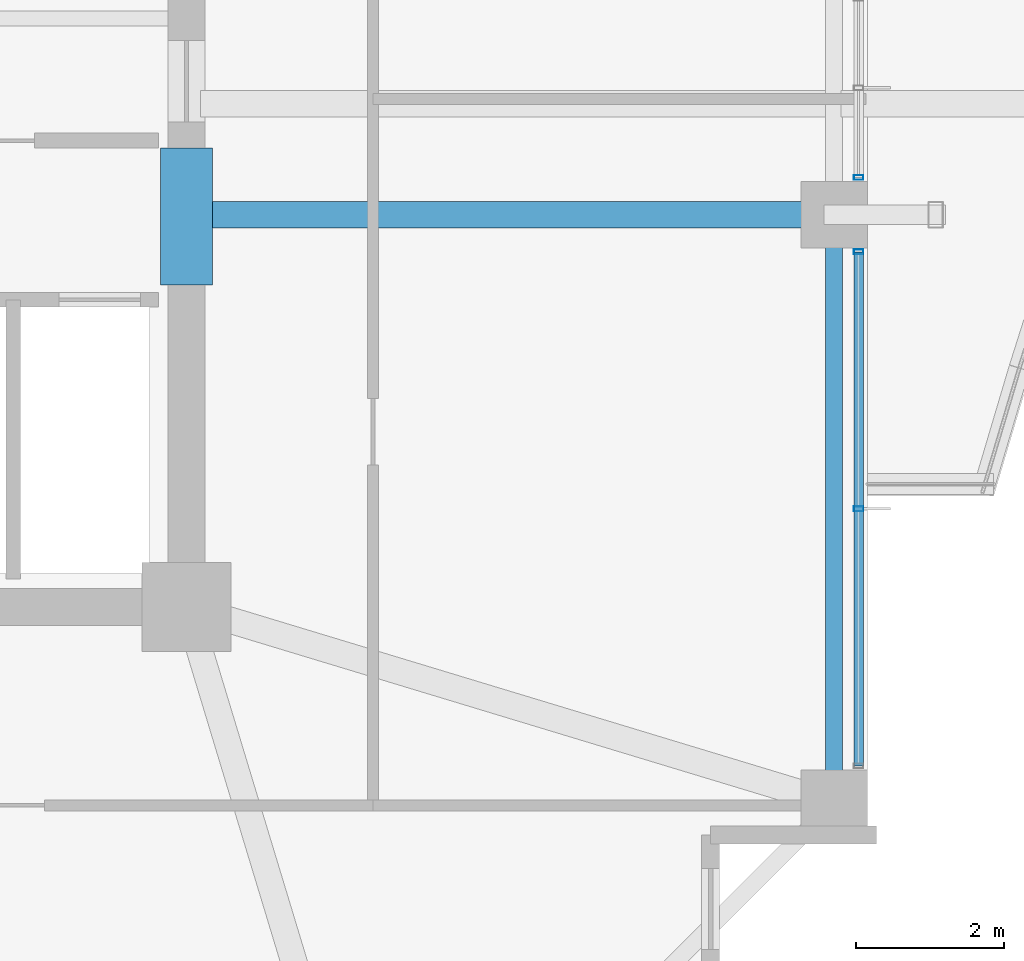
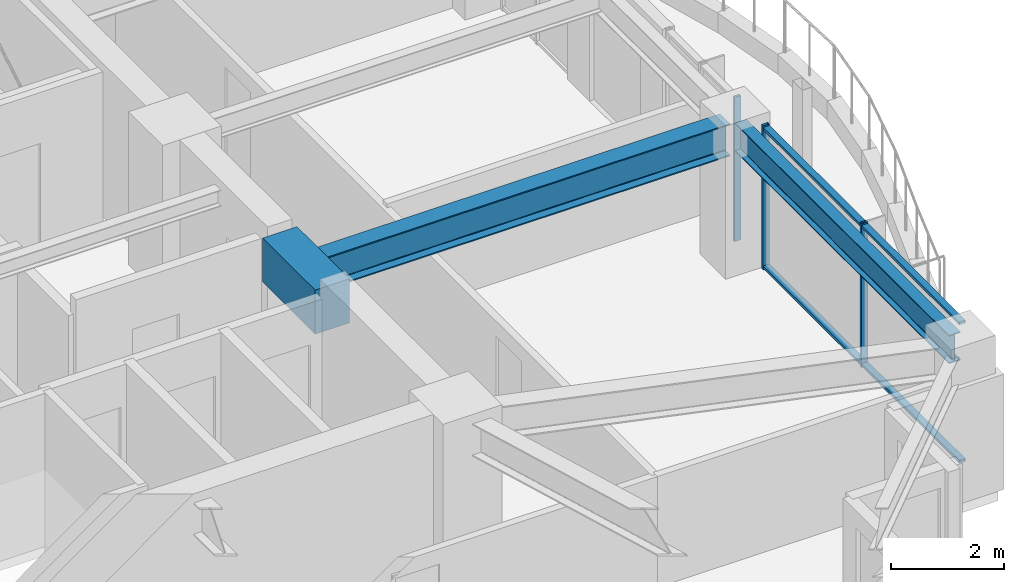
# One storey, part 15 of 35: 5 members, 3 beams, 2 elements without a shape of their own.
"""IFC4 building model written with IfcOpenShell, lengths in metres."""

from ifc_helpers import new_model, si_unit, direction, frame, origin, origin_2d, place, context, subcontext, project, spatial, rectangle, hollow_rectangle, i_section, extrude, material, material_profile, profile_set, type_object, element, aggregate, save


model = new_model("IFC4")

# Units and contexts
model_context = context("Model", 3, precision=1e-05, world=origin(), true_north=direction((0.0, 1.0)))
body_context = subcontext(model_context, "Body", "Model", "MODEL_VIEW")
ifc_project = project(units=[si_unit("LENGTHUNIT", "METRE"), si_unit("AREAUNIT", "SQUARE_METRE"), si_unit("VOLUMEUNIT", "CUBIC_METRE"), si_unit("PLANEANGLEUNIT", "RADIAN"), si_unit("MASSUNIT", "GRAM", prefix="KILO")], contexts=[model_context])

# Site, building, storey
site_placement = place(None, origin())
site = spatial("IfcSite", under=ifc_project, at=site_placement, CompositionType="ELEMENT")
building_placement = place(site_placement, origin())
building = spatial("IfcBuilding", under=site, at=building_placement, Name="Kolvaren Belvedere", CompositionType="ELEMENT")
storey_placement = place(building_placement, frame((0.0, 0.0, 163.5)))
storey = spatial("IfcBuildingStorey", under=building, at=storey_placement, Name="L47", CompositionType="ELEMENT", Elevation=163.5)

# Beams
ifc_material_1 = material(Name="Structural steel ASTM A992 Grade 50", Category="steel")
ifc_material_profile_1 = material_profile(ifc_material_1, i_section(OverallWidth=0.35498046875, OverallDepth=0.696044921875, WebThickness=0.015380859375, FlangeThickness=0.02490234375, FilletRadius=0.02197265625, at=origin_2d()), Name="W27X146")
ifc_profile_set_1 = profile_set([ifc_material_profile_1], Name="Structural steel ASTM A992 Grade 50")
beam_type_1 = type_object("IfcBeamType", Name="BM-GIRD-W27X146", PredefinedType="BEAM", material=ifc_profile_set_1)
beam_1_placement = place(storey_placement, frame((10.14990234375, -4.60009765625, 2.751953125), z_axis=(1.0, 0.0, 0.0), x_axis=(0.0, 1.0, 0.0)))
element("IfcBeam", 1, at=beam_1_placement, inside=storey, type_object=beam_type_1, Name="L47 East Radial Girder M", PredefinedType="BEAM", context=body_context, shape_type="SweptSolid", body=[
    extrude(i_section(OverallWidth=0.35498046875, OverallDepth=0.696044921875, WebThickness=0.015380859375, FlangeThickness=0.02490234375, FilletRadius=0.02197265625, at=origin_2d()), origin(), (0.0, 0.0, 1.0), 8.297607421875),
])
ifc_material_2 = material(Name="Concrete C60/75", Category="concrete")
ifc_material_profile_2 = material_profile(ifc_material_2, rectangle(XDim=0.699951171875, YDim=0.949951171875, at=origin_2d()), Name="RC 700X950")
ifc_profile_set_2 = profile_set([ifc_material_profile_2], Name="Concrete C60/75")
beam_type_2 = type_object("IfcBeamType", Name="BM-LINT-950", PredefinedType="LINTEL", material=ifc_profile_set_2)
beam_2_placement = place(storey_placement, frame((9.89990234375, -5.550048828125, 2.625), z_axis=(0.0, 1.0, 0.0), x_axis=(-1.0, 0.0, 0.0)))
element("IfcBeam", 2, at=beam_2_placement, inside=storey, type_object=beam_type_2, Name="L47 East Core Coupling Lintel", PredefinedType="LINTEL", context=body_context, shape_type="SweptSolid", body=[
    extrude(rectangle(XDim=0.699951171875, YDim=0.949951171875, at=origin_2d()), origin(), (0.0, 0.0, 1.0), 1.85009765625),
])
ifc_material_3 = material(Name="Structural steel ASTM A992 Grade 50", Category="steel")
ifc_material_profile_3 = material_profile(ifc_material_3, i_section(OverallWidth=0.22900390625, OverallDepth=0.612060546875, WebThickness=0.011962890625, FlangeThickness=0.01953125, FilletRadius=0.01806640625, at=origin_2d()), Name="W24X84")
ifc_profile_set_3 = profile_set([ifc_material_profile_3], Name="Structural steel ASTM A992 Grade 50")
beam_type_3 = type_object("IfcBeamType", Name="BM-SPAN-W24X84", PredefinedType="SPANDREL", material=ifc_profile_set_3)
beam_3_placement = place(storey_placement, frame((18.64990234375, -12.347412109375, 2.7939453125), z_axis=(0.0, 1.0, 0.0), x_axis=(-1.0, 0.0, 0.0)))
element("IfcBeam", 3, at=beam_3_placement, inside=storey, type_object=beam_type_3, Name="L47 Perimeter Spandrel E1-E2", PredefinedType="SPANDREL", context=body_context, shape_type="SweptSolid", body=[
    extrude(i_section(OverallWidth=0.22900390625, OverallDepth=0.612060546875, WebThickness=0.011962890625, FlangeThickness=0.01953125, FilletRadius=0.01806640625, at=origin_2d()), origin(), (0.0, 0.0, 1.0), 7.544921875),
])

# Curtain wall, member
ifc_material_4 = material(Name="Anodised pale-metal aluminium AA 6063-T6", Category="aluminium")
curtain_wall_type = type_object("IfcCurtainWallType", Name="CW-Z3-WAIST", PredefinedType="NOTDEFINED", material=ifc_material_4)
curtain_wall_1_placement = place(storey_placement, origin())
curtain_wall_1 = element("IfcCurtainWall", 4, at=curtain_wall_1_placement, inside=storey, type_object=curtain_wall_type, Name="L47 Unitised Curtain Wall FCW-L47-E2-B1", PredefinedType="NOTDEFINED")
ifc_material_5 = material(Name="Anodised pale-metal aluminium AA 6063-T6", Category="aluminium")
ifc_material_profile_4 = material_profile(ifc_material_5, hollow_rectangle(XDim=0.06494140625, YDim=0.1298828125, WallThickness=0.00390625, at=origin_2d()), Name="ALU-MUL-130X65")
ifc_profile_set_4 = profile_set([ifc_material_profile_4], Name="Anodised pale-metal aluminium AA 6063-T6")
member_type_1 = type_object("IfcMemberType", Name="CW-MUL-130", PredefinedType="MULLION", material=ifc_profile_set_4)
member_1_placement = place(storey_placement, frame((18.97998046875, -4.097412109375, 0.0), z_axis=(0.0, 0.0, 1.0), x_axis=(0.0, 1.0, 0.0)))
member_1 = element("IfcMember", 5, at=member_1_placement, type_object=member_type_1, Name="FCW-L47-E2-B1 Unitised Mullion 3", PredefinedType="MULLION", context=body_context, shape_type="SweptSolid", body=[
    extrude(hollow_rectangle(XDim=0.06494140625, YDim=0.1298828125, WallThickness=0.00390625, at=origin_2d()), origin(), (0.0, 0.0, 1.0), 3.10009765625),
])
aggregate(curtain_wall_1, [member_1])

# Curtain wall, members
curtain_wall_2_placement = place(storey_placement, origin())
curtain_wall_2 = element("IfcCurtainWall", 6, at=curtain_wall_2_placement, inside=storey, type_object=curtain_wall_type, Name="L47 Unitised Curtain Wall FCW-L47-E2-B2", PredefinedType="NOTDEFINED")
member_2_placement = place(storey_placement, frame((18.97998046875, -5.1025390625, 0.0), z_axis=(0.0, 0.0, 1.0), x_axis=(0.0, 1.0, 0.0)))
member_2 = element("IfcMember", 7, at=member_2_placement, type_object=member_type_1, Name="FCW-L47-E2-B2 Unitised Mullion 1", PredefinedType="MULLION", context=body_context, shape_type="SweptSolid", body=[
    extrude(hollow_rectangle(XDim=0.06494140625, YDim=0.1298828125, WallThickness=0.00390625, at=origin_2d()), origin(), (0.0, 0.0, 1.0), 3.10009765625),
])
member_3_placement = place(storey_placement, frame((18.97998046875, -8.574951171875, 0.0), z_axis=(0.0, 0.0, 1.0), x_axis=(0.0, 1.0, 0.0)))
member_3 = element("IfcMember", 8, at=member_3_placement, type_object=member_type_1, Name="FCW-L47-E2-B2 Unitised Mullion 2", PredefinedType="MULLION", context=body_context, shape_type="SweptSolid", body=[
    extrude(hollow_rectangle(XDim=0.06494140625, YDim=0.1298828125, WallThickness=0.00390625, at=origin_2d()), origin(), (0.0, 0.0, 1.0), 3.10009765625),
])
ifc_material_6 = material(Name="Anodised pale-metal aluminium AA 6063-T6", Category="aluminium")
ifc_material_profile_5 = material_profile(ifc_material_6, hollow_rectangle(XDim=0.06005859375, YDim=0.1298828125, WallThickness=0.00390625, at=origin_2d()), Name="ALU-TRN-130X60")
ifc_profile_set_5 = profile_set([ifc_material_profile_5], Name="Anodised pale-metal aluminium AA 6063-T6")
member_type_2 = type_object("IfcMemberType", Name="CW-TRN-130", PredefinedType="USERDEFINED", material=ifc_profile_set_5)
member_4_placement = place(storey_placement, frame((18.97998046875, -5.1025390625, 0.06005859375), z_axis=(0.0, -1.0, 0.0), x_axis=(0.0, 0.0, 1.0)))
member_4 = element("IfcMember", 9, at=member_4_placement, type_object=member_type_2, Name="FCW-L47-E2-B2 Sill Transom", ObjectType="TRANSOM", PredefinedType="USERDEFINED", context=body_context, shape_type="SweptSolid", body=[
    extrude(hollow_rectangle(XDim=0.06005859375, YDim=0.1298828125, WallThickness=0.00390625, at=origin_2d()), origin(), (0.0, 0.0, 1.0), 6.945068359375),
])
member_5_placement = place(storey_placement, frame((18.97998046875, -5.1025390625, 3.0400390625), z_axis=(0.0, -1.0, 0.0), x_axis=(0.0, 0.0, 1.0)))
member_5 = element("IfcMember", 10, at=member_5_placement, type_object=member_type_2, Name="FCW-L47-E2-B2 Head Transom", ObjectType="TRANSOM", PredefinedType="USERDEFINED", context=body_context, shape_type="SweptSolid", body=[
    extrude(hollow_rectangle(XDim=0.06005859375, YDim=0.1298828125, WallThickness=0.00390625, at=origin_2d()), origin(), (0.0, 0.0, 1.0), 6.945068359375),
])
aggregate(curtain_wall_2, [member_2, member_3, member_4, member_5])

save(model, "model.ifc")
